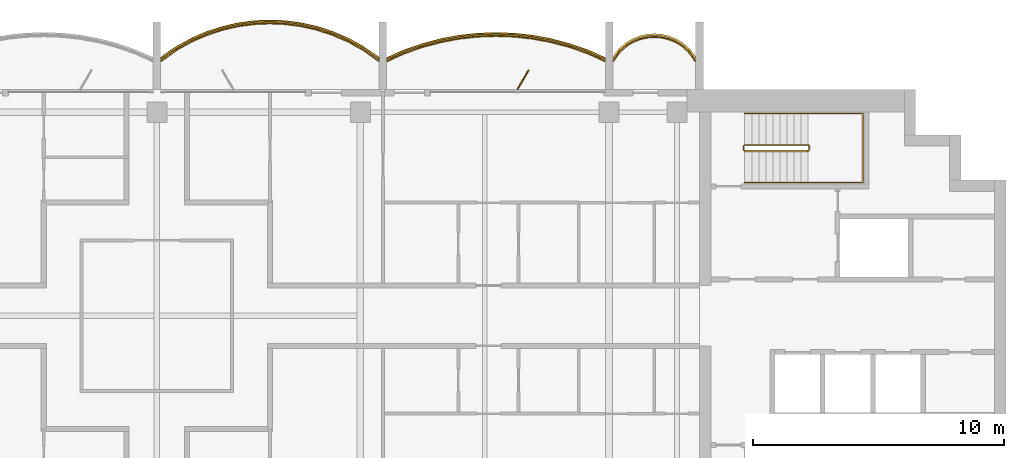
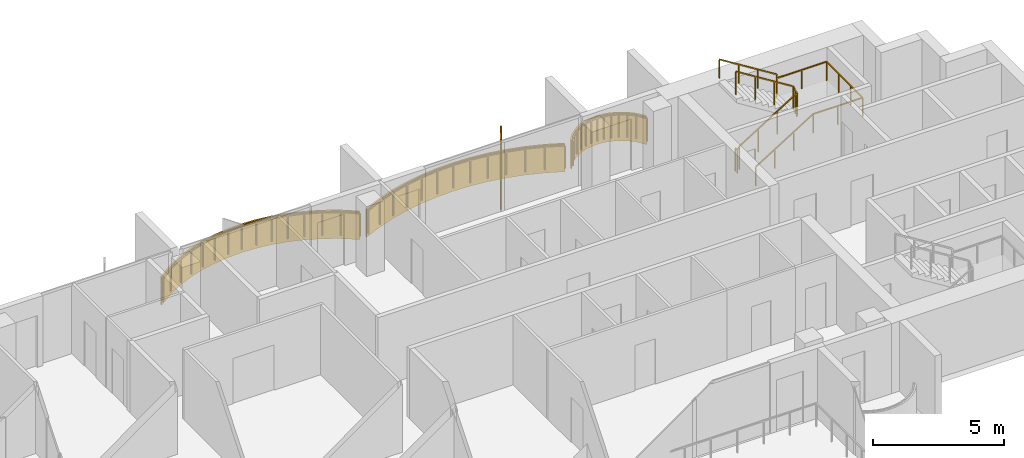
# One storey, part 16 of 16: 5 railings, 3 coverings, 1 shading device.
"""IFC4 building model written with IfcOpenShell, lengths in metres."""

from ifc_helpers import new_model, si_unit, direction, frame, origin, origin_2d, place, context, subcontext, project, spatial, polyline, rectangle, outline, extrude, material, layer, layer_set, type_object, element, save


model = new_model("IFC4")

# Units and contexts
model_context = context("Model", 3, precision=1e-05, world=origin(), true_north=direction((0.0, 1.0)))
body_context = subcontext(model_context, "Body", "Model", "MODEL_VIEW")
ifc_project = project(units=[si_unit("LENGTHUNIT", "METRE"), si_unit("AREAUNIT", "SQUARE_METRE"), si_unit("VOLUMEUNIT", "CUBIC_METRE"), si_unit("PLANEANGLEUNIT", "RADIAN"), si_unit("MASSUNIT", "GRAM", prefix="KILO")], contexts=[model_context])

# Site, building, storey
site_placement = place(None, origin())
site = spatial("IfcSite", under=ifc_project, at=site_placement, CompositionType="ELEMENT")
building_placement = place(site_placement, origin())
building = spatial("IfcBuilding", under=site, at=building_placement, Name="Perihelion Cross Residences", CompositionType="ELEMENT")
storey_placement = place(building_placement, frame((0.0, 0.0, 246.5)))
storey = spatial("IfcBuildingStorey", under=building, at=storey_placement, Name="L62", CompositionType="ELEMENT", Elevation=246.5)

# Coverings
ifc_material_1 = material(Name="Bronze anodised aluminium", Category="aluminium")
ifc_layer_1 = layer(ifc_material_1, 0.070068359375)
ifc_layer_set_1 = layer_set([ifc_layer_1], Name="Balcony fascia 1300")
covering_type = type_object("IfcCoveringType", Name="Balcony fascia 1300", PredefinedType="CLADDING", material=ifc_layer_set_1)
covering_1_placement = place(storey_placement, frame((0.0, 0.0, -0.199951171875)))
element("IfcCovering", 1, at=covering_1_placement, inside=storey, type_object=covering_type, Name="Fascia BF1 L62 east side north bay 1", PredefinedType="CLADDING", context=body_context, shape_type="SweptSolid", body=[
    extrude(outline(polyline([(21.226318359375, 10.616455078125), (20.94091796875, 10.86328125), (20.655517578125, 11.031494140625), (20.370361328125, 11.142578125), (20.085205078125, 11.206298828125), (19.800048828125, 11.22705078125), (19.514892578125, 11.206298828125), (19.229736328125, 11.142578125), (18.9443359375, 11.031494140625), (18.6591796875, 10.86328125), (18.373779296875, 10.616455078125), (18.14990234375, 10.31689453125), (18.14990234375, 10.199951171875), (18.425048828125, 10.568603515625), (18.699951171875, 10.806396484375), (18.97509765625, 10.96875), (19.25, 11.07568359375), (19.52490234375, 11.136962890625), (19.800048828125, 11.156982421875), (20.074951171875, 11.136962890625), (20.35009765625, 11.07568359375), (20.625, 10.96875), (20.89990234375, 10.806396484375), (21.175048828125, 10.568603515625), (21.449951171875, 10.199951171875), (21.449951171875, 10.31689453125), (21.226318359375, 10.616455078125)])), origin(), (0.0, 0.0, 1.0), 1.300048828125),
])
covering_2_placement = place(storey_placement, frame((0.0, 0.0, -0.199951171875)))
element("IfcCovering", 2, at=covering_2_placement, inside=storey, type_object=covering_type, Name="Fascia BF1 L62 east side north bay 2", PredefinedType="CLADDING", context=body_context, shape_type="SweptSolid", body=[
    extrude(outline(polyline([(17.150634765625, 10.582275390625), (16.42041015625, 10.83544921875), (15.690185546875, 11.028076171875), (14.960205078125, 11.1630859375), (14.22998046875, 11.243408203125), (13.5, 11.27001953125), (12.77001953125, 11.243408203125), (12.039794921875, 11.1630859375), (11.309814453125, 11.028076171875), (10.57958984375, 10.83544921875), (9.849365234375, 10.582275390625), (9.14990234375, 10.2763671875), (9.14990234375, 10.199951171875), (9.875, 10.51708984375), (10.60009765625, 10.7685546875), (11.324951171875, 10.959716796875), (12.050048828125, 11.093994140625), (12.77490234375, 11.173583984375), (13.5, 11.199951171875), (14.22509765625, 11.173583984375), (14.949951171875, 11.093994140625), (15.675048828125, 10.959716796875), (16.39990234375, 10.7685546875), (17.125, 10.51708984375), (17.85009765625, 10.199951171875), (17.85009765625, 10.2763671875), (17.150634765625, 10.582275390625)])), origin(), (0.0, 0.0, 1.0), 1.300048828125),
])
covering_3_placement = place(storey_placement, frame((0.0, 0.0, -0.199951171875)))
element("IfcCovering", 3, at=covering_3_placement, inside=storey, type_object=covering_type, Name="Fascia BF1 L62 north side east bay 1", PredefinedType="CLADDING", context=body_context, shape_type="SweptSolid", body=[
    extrude(outline(polyline([(8.265625, 10.694091796875), (7.637939453125, 11.0419921875), (7.010498046875, 11.313232421875), (6.3828125, 11.516845703125), (5.755126953125, 11.65869140625), (5.127685546875, 11.742431640625), (4.5, 11.77001953125), (3.872314453125, 11.742431640625), (3.244873046875, 11.65869140625), (2.6171875, 11.516845703125), (1.989501953125, 11.313232421875), (1.362060546875, 11.0419921875), (0.734375, 10.694091796875), (0.14990234375, 10.285400390625), (0.14990234375, 10.199951171875), (0.771484375, 10.634765625), (1.392822265625, 10.979248046875), (2.014404296875, 11.247802734375), (2.6357421875, 11.44921875), (3.257080078125, 11.589599609375), (3.878662109375, 11.672607421875), (4.5, 11.699951171875), (5.121337890625, 11.672607421875), (5.742919921875, 11.589599609375), (6.3642578125, 11.44921875), (6.985595703125, 11.247802734375), (7.607177734375, 10.979248046875), (8.228515625, 10.634765625), (8.85009765625, 10.199951171875), (8.85009765625, 10.285400390625), (8.265625, 10.694091796875)])), origin(), (0.0, 0.0, 1.0), 1.300048828125),
])

# Railings
ifc_material_2 = material(Name="Bronze anodised aluminium", Category="aluminium")
railing_type_1 = type_object("IfcRailingType", Name="Balcony guard 1100", PredefinedType="GUARDRAIL", material=ifc_material_2)
railing_1_placement = place(storey_placement, frame((21.425048828125, 10.139892578125, 0.0)))
element("IfcRailing", 4, at=railing_1_placement, inside=storey, type_object=railing_type_1, Name="Guard GU1 L62 east side north bay 1 balcony", PredefinedType="GUARDRAIL", context=body_context, shape_type="SweptSolid", body=[
    extrude(rectangle(XDim=0.048095703125, YDim=0.048095703125, at=origin_2d()), frame((0.0, 0.0, 1.076171875), z_axis=(-0.561260132269, 0.827639452857, 0.0), x_axis=(-0.827639452857, -0.561260132269, 0.0)), (0.0, 0.0, 1.0), 0.4453125),
    extrude(rectangle(XDim=0.048095703125, YDim=0.048095703125, at=origin_2d()), frame((-0.25, 0.36865234375, 1.076171875), z_axis=(-0.756596535164, 0.653882009982, 0.0), x_axis=(-0.653882009982, -0.756596535164, 0.0)), (0.0, 0.0, 1.0), 0.36376953125),
    extrude(rectangle(XDim=0.048095703125, YDim=0.048095703125, at=origin_2d()), frame((-0.525146484375, 0.6064453125, 1.076171875), z_axis=(-0.861048292884, 0.508523192511, 0.0), x_axis=(-0.508523192511, -0.861048292884, 0.0)), (0.0, 0.0, 1.0), 0.3193359375),
    extrude(rectangle(XDim=0.048095703125, YDim=0.048095703125, at=origin_2d()), frame((-0.800048828125, 0.768798828125, 1.076171875), z_axis=(-0.931973602183, 0.362526143656, 0.0), x_axis=(-0.362526143656, -0.931973602183, 0.0)), (0.0, 0.0, 1.0), 0.294921875),
    extrude(rectangle(XDim=0.048095703125, YDim=0.048095703125, at=origin_2d()), frame((-1.074951171875, 0.875732421875, 1.076171875), z_axis=(-0.976085059389, 0.21738895289, 0.0), x_axis=(-0.21738895289, -0.976085059389, 0.0)), (0.0, 0.0, 1.0), 0.281982421875),
    extrude(rectangle(XDim=0.048095703125, YDim=0.048095703125, at=origin_2d()), frame((-1.35009765625, 0.93701171875, 1.076171875), z_axis=(-0.997358821833, 0.072631814734, 0.0), x_axis=(-0.072631814734, -0.997358821833, 0.0)), (0.0, 0.0, 1.0), 0.275634765625),
    extrude(rectangle(XDim=0.048095703125, YDim=0.048095703125, at=origin_2d()), frame((-1.625, 0.95703125, 1.076171875), z_axis=(-0.997363488337, -0.072567707226, 0.0), x_axis=(0.072567707226, -0.997363488337, 0.0)), (0.0, 0.0, 1.0), 0.27587890625),
    extrude(rectangle(XDim=0.048095703125, YDim=0.048095703125, at=origin_2d()), frame((-1.900146484375, 0.93701171875, 1.076171875), z_axis=(-0.976044077717, -0.217572880557, 0.0), x_axis=(0.217572880557, -0.976044077717, 0.0)), (0.0, 0.0, 1.0), 0.28173828125),
    extrude(rectangle(XDim=0.048095703125, YDim=0.048095703125, at=origin_2d()), frame((-2.175048828125, 0.875732421875, 1.076171875), z_axis=(-0.931973602183, -0.362526143656, 0.0), x_axis=(0.362526143656, -0.931973602183, 0.0)), (0.0, 0.0, 1.0), 0.294921875),
    extrude(rectangle(XDim=0.048095703125, YDim=0.048095703125, at=origin_2d()), frame((-2.449951171875, 0.768798828125, 1.076171875), z_axis=(-0.861245845072, -0.508188542123, 0.0), x_axis=(0.508188542123, -0.861245845072, 0.0)), (0.0, 0.0, 1.0), 0.319580078125),
    extrude(rectangle(XDim=0.048095703125, YDim=0.048095703125, at=origin_2d()), frame((-2.72509765625, 0.6064453125, 1.076171875), z_axis=(-0.756309278473, -0.654214242658, 0.0), x_axis=(0.654214242658, -0.756309278473, 0.0)), (0.0, 0.0, 1.0), 0.363525390625),
    extrude(rectangle(XDim=0.048095703125, YDim=0.048095703125, at=origin_2d()), frame((-3.0, 0.36865234375, 1.076171875), z_axis=(-0.561260132269, -0.827639452857, 0.0), x_axis=(0.827639452857, -0.561260132269, 0.0)), (0.0, 0.0, 1.0), 0.4453125),
    extrude(rectangle(XDim=0.0419921875, YDim=0.0419921875, at=origin_2d()), origin(), (0.0, 0.0, 1.0), 1.052001953125),
    extrude(rectangle(XDim=0.0419921875, YDim=0.0419921875, at=origin_2d()), frame((-0.25, 0.36865234375, 0.0)), (0.0, 0.0, 1.0), 1.052001953125),
    extrude(rectangle(XDim=0.0419921875, YDim=0.0419921875, at=origin_2d()), frame((-0.525146484375, 0.6064453125, 0.0)), (0.0, 0.0, 1.0), 1.052001953125),
    extrude(rectangle(XDim=0.0419921875, YDim=0.0419921875, at=origin_2d()), frame((-0.800048828125, 0.768798828125, 0.0)), (0.0, 0.0, 1.0), 1.052001953125),
    extrude(rectangle(XDim=0.0419921875, YDim=0.0419921875, at=origin_2d()), frame((-1.074951171875, 0.875732421875, 0.0)), (0.0, 0.0, 1.0), 1.052001953125),
    extrude(rectangle(XDim=0.0419921875, YDim=0.0419921875, at=origin_2d()), frame((-1.35009765625, 0.93701171875, 0.0)), (0.0, 0.0, 1.0), 1.052001953125),
    extrude(rectangle(XDim=0.0419921875, YDim=0.0419921875, at=origin_2d()), frame((-1.625, 0.95703125, 0.0)), (0.0, 0.0, 1.0), 1.052001953125),
    extrude(rectangle(XDim=0.0419921875, YDim=0.0419921875, at=origin_2d()), frame((-1.900146484375, 0.93701171875, 0.0)), (0.0, 0.0, 1.0), 1.052001953125),
    extrude(rectangle(XDim=0.0419921875, YDim=0.0419921875, at=origin_2d()), frame((-2.175048828125, 0.875732421875, 0.0)), (0.0, 0.0, 1.0), 1.052001953125),
    extrude(rectangle(XDim=0.0419921875, YDim=0.0419921875, at=origin_2d()), frame((-2.449951171875, 0.768798828125, 0.0)), (0.0, 0.0, 1.0), 1.052001953125),
    extrude(rectangle(XDim=0.0419921875, YDim=0.0419921875, at=origin_2d()), frame((-2.72509765625, 0.6064453125, 0.0)), (0.0, 0.0, 1.0), 1.052001953125),
    extrude(rectangle(XDim=0.0419921875, YDim=0.0419921875, at=origin_2d()), frame((-3.0, 0.36865234375, 0.0)), (0.0, 0.0, 1.0), 1.052001953125),
    extrude(rectangle(XDim=0.0419921875, YDim=0.0419921875, at=origin_2d()), frame((-3.25, 0.0, 0.0)), (0.0, 0.0, 1.0), 1.052001953125),
])
railing_2_placement = place(storey_placement, frame((17.824951171875, 10.139892578125, 0.0)))
element("IfcRailing", 5, at=railing_2_placement, inside=storey, type_object=railing_type_1, Name="Guard GU1 L62 east side north bay 2 balcony", PredefinedType="GUARDRAIL", context=body_context, shape_type="SweptSolid", body=[
    extrude(rectangle(XDim=0.048095703125, YDim=0.048095703125, at=origin_2d()), frame((0.0, 0.0, 1.076171875), z_axis=(-0.910866309087, 0.412701547089, 0.0), x_axis=(-0.412701547089, -0.910866309087, 0.0)), (0.0, 0.0, 1.0), 0.7685546875),
    extrude(rectangle(XDim=0.048095703125, YDim=0.048095703125, at=origin_2d()), frame((-0.699951171875, 0.317138671875, 1.076171875), z_axis=(-0.944796812452, 0.327656807012, 0.0), x_axis=(-0.327656807012, -0.944796812452, 0.0)), (0.0, 0.0, 1.0), 0.767578125),
    extrude(rectangle(XDim=0.048095703125, YDim=0.048095703125, at=origin_2d()), frame((-1.425048828125, 0.568603515625, 1.076171875), z_axis=(-0.966939404945, 0.255006249266, 0.0), x_axis=(-0.255006249266, -0.966939404945, 0.0)), (0.0, 0.0, 1.0), 0.749755859375),
    extrude(rectangle(XDim=0.048095703125, YDim=0.048095703125, at=origin_2d()), frame((-2.14990234375, 0.759765625, 1.076171875), z_axis=(-0.983282004984, 0.182089260182, 0.0), x_axis=(-0.182089260182, -0.983282004984, 0.0)), (0.0, 0.0, 1.0), 0.7373046875),
    extrude(rectangle(XDim=0.048095703125, YDim=0.048095703125, at=origin_2d()), frame((-2.875, 0.89404296875, 1.076171875), z_axis=(-0.994025805622, 0.109145305703, 0.0), x_axis=(-0.109145305703, -0.994025805622, 0.0)), (0.0, 0.0, 1.0), 0.729248046875),
    extrude(rectangle(XDim=0.048095703125, YDim=0.048095703125, at=origin_2d()), frame((-3.599853515625, 0.9736328125, 1.076171875), z_axis=(-0.999339497946, 0.036339618107, 0.0), x_axis=(-0.036339618107, -0.999339497946, 0.0)), (0.0, 0.0, 1.0), 0.7255859375),
    extrude(rectangle(XDim=0.048095703125, YDim=0.048095703125, at=origin_2d()), frame((-4.324951171875, 1.0, 1.076171875), z_axis=(-0.999339497946, -0.036339618107, 0.0), x_axis=(0.036339618107, -0.999339497946, 0.0)), (0.0, 0.0, 1.0), 0.7255859375),
    extrude(rectangle(XDim=0.048095703125, YDim=0.048095703125, at=origin_2d()), frame((-5.050048828125, 0.9736328125, 1.076171875), z_axis=(-0.994025805622, -0.109145305703, 0.0), x_axis=(0.109145305703, -0.994025805622, 0.0)), (0.0, 0.0, 1.0), 0.729248046875),
    extrude(rectangle(XDim=0.048095703125, YDim=0.048095703125, at=origin_2d()), frame((-5.77490234375, 0.89404296875, 1.076171875), z_axis=(-0.983282004984, -0.182089260182, 0.0), x_axis=(0.182089260182, -0.983282004984, 0.0)), (0.0, 0.0, 1.0), 0.7373046875),
    extrude(rectangle(XDim=0.048095703125, YDim=0.048095703125, at=origin_2d()), frame((-6.5, 0.759765625, 1.076171875), z_axis=(-0.966939404945, -0.255006249266, 0.0), x_axis=(0.255006249266, -0.966939404945, 0.0)), (0.0, 0.0, 1.0), 0.749755859375),
    extrude(rectangle(XDim=0.048095703125, YDim=0.048095703125, at=origin_2d()), frame((-7.224853515625, 0.568603515625, 1.076171875), z_axis=(-0.944796812452, -0.327656807012, 0.0), x_axis=(0.327656807012, -0.944796812452, 0.0)), (0.0, 0.0, 1.0), 0.767578125),
    extrude(rectangle(XDim=0.048095703125, YDim=0.048095703125, at=origin_2d()), frame((-7.949951171875, 0.317138671875, 1.076171875), z_axis=(-0.910866309087, -0.412701547089, 0.0), x_axis=(0.412701547089, -0.910866309087, 0.0)), (0.0, 0.0, 1.0), 0.7685546875),
    extrude(rectangle(XDim=0.0419921875, YDim=0.0419921875, at=origin_2d()), origin(), (0.0, 0.0, 1.0), 1.052001953125),
    extrude(rectangle(XDim=0.0419921875, YDim=0.0419921875, at=origin_2d()), frame((-0.699951171875, 0.317138671875, 0.0)), (0.0, 0.0, 1.0), 1.052001953125),
    extrude(rectangle(XDim=0.0419921875, YDim=0.0419921875, at=origin_2d()), frame((-1.425048828125, 0.568603515625, 0.0)), (0.0, 0.0, 1.0), 1.052001953125),
    extrude(rectangle(XDim=0.0419921875, YDim=0.0419921875, at=origin_2d()), frame((-2.14990234375, 0.759765625, 0.0)), (0.0, 0.0, 1.0), 1.052001953125),
    extrude(rectangle(XDim=0.0419921875, YDim=0.0419921875, at=origin_2d()), frame((-2.875, 0.89404296875, 0.0)), (0.0, 0.0, 1.0), 1.052001953125),
    extrude(rectangle(XDim=0.0419921875, YDim=0.0419921875, at=origin_2d()), frame((-3.599853515625, 0.9736328125, 0.0)), (0.0, 0.0, 1.0), 1.052001953125),
    extrude(rectangle(XDim=0.0419921875, YDim=0.0419921875, at=origin_2d()), frame((-4.324951171875, 1.0, 0.0)), (0.0, 0.0, 1.0), 1.052001953125),
    extrude(rectangle(XDim=0.0419921875, YDim=0.0419921875, at=origin_2d()), frame((-5.050048828125, 0.9736328125, 0.0)), (0.0, 0.0, 1.0), 1.052001953125),
    extrude(rectangle(XDim=0.0419921875, YDim=0.0419921875, at=origin_2d()), frame((-5.77490234375, 0.89404296875, 0.0)), (0.0, 0.0, 1.0), 1.052001953125),
    extrude(rectangle(XDim=0.0419921875, YDim=0.0419921875, at=origin_2d()), frame((-6.5, 0.759765625, 0.0)), (0.0, 0.0, 1.0), 1.052001953125),
    extrude(rectangle(XDim=0.0419921875, YDim=0.0419921875, at=origin_2d()), frame((-7.224853515625, 0.568603515625, 0.0)), (0.0, 0.0, 1.0), 1.052001953125),
    extrude(rectangle(XDim=0.0419921875, YDim=0.0419921875, at=origin_2d()), frame((-7.949951171875, 0.317138671875, 0.0)), (0.0, 0.0, 1.0), 1.052001953125),
    extrude(rectangle(XDim=0.0419921875, YDim=0.0419921875, at=origin_2d()), frame((-8.64990234375, 0.0, 0.0)), (0.0, 0.0, 1.0), 1.052001953125),
])
railing_3_placement = place(storey_placement, frame((8.824951171875, 10.139892578125, 0.0)))
element("IfcRailing", 6, at=railing_3_placement, inside=storey, type_object=railing_type_1, Name="Guard GU1 L62 north side east bay 1 balcony", PredefinedType="GUARDRAIL", context=body_context, shape_type="SweptSolid", body=[
    extrude(rectangle(XDim=0.048095703125, YDim=0.048095703125, at=origin_2d()), frame((0.0, 0.0, 1.076171875), z_axis=(-0.808063294873, 0.589095672603, 0.0), x_axis=(-0.589095672603, -0.808063294873, 0.0)), (0.0, 0.0, 1.0), 0.738037109375),
    extrude(rectangle(XDim=0.048095703125, YDim=0.048095703125, at=origin_2d()), frame((-0.596435546875, 0.434814453125, 1.076171875), z_axis=(-0.874578399268, 0.484884134133, 0.0), x_axis=(-0.484884134133, -0.874578399268, 0.0)), (0.0, 0.0, 1.0), 0.71044921875),
    extrude(rectangle(XDim=0.048095703125, YDim=0.048095703125, at=origin_2d()), frame((-1.2177734375, 0.779296875, 1.076171875), z_axis=(-0.917984792895, 0.396615582162, 0.0), x_axis=(-0.396615582162, -0.917984792895, 0.0)), (0.0, 0.0, 1.0), 0.677001953125),
    extrude(rectangle(XDim=0.048095703125, YDim=0.048095703125, at=origin_2d()), frame((-1.83935546875, 1.0478515625, 1.076171875), z_axis=(-0.951157585372, 0.308705762482, 0.0), x_axis=(-0.308705762482, -0.951157585372, 0.0)), (0.0, 0.0, 1.0), 0.6533203125),
    extrude(rectangle(XDim=0.048095703125, YDim=0.048095703125, at=origin_2d()), frame((-2.460693359375, 1.24951171875, 1.076171875), z_axis=(-0.975414431917, 0.220378506229, 0.0), x_axis=(-0.220378506229, -0.975414431917, 0.0)), (0.0, 0.0, 1.0), 0.636962890625),
    extrude(rectangle(XDim=0.048095703125, YDim=0.048095703125, at=origin_2d()), frame((-3.08203125, 1.389892578125, 1.076171875), z_axis=(-0.991251686862, 0.131985201039, 0.0), x_axis=(-0.131985201039, -0.991251686862, 0.0)), (0.0, 0.0, 1.0), 0.626953125),
    extrude(rectangle(XDim=0.048095703125, YDim=0.048095703125, at=origin_2d()), frame((-3.70361328125, 1.47265625, 1.076171875), z_axis=(-0.999033058467, 0.04396530552, 0.0), x_axis=(-0.04396530552, -0.999033058467, 0.0)), (0.0, 0.0, 1.0), 0.621826171875),
    extrude(rectangle(XDim=0.048095703125, YDim=0.048095703125, at=origin_2d()), frame((-4.324951171875, 1.5, 1.076171875), z_axis=(-0.999033058467, -0.04396530552, 0.0), x_axis=(0.04396530552, -0.999033058467, 0.0)), (0.0, 0.0, 1.0), 0.621826171875),
    extrude(rectangle(XDim=0.048095703125, YDim=0.048095703125, at=origin_2d()), frame((-4.9462890625, 1.47265625, 1.076171875), z_axis=(-0.991251686862, -0.131985201039, 0.0), x_axis=(0.131985201039, -0.991251686862, 0.0)), (0.0, 0.0, 1.0), 0.626953125),
    extrude(rectangle(XDim=0.048095703125, YDim=0.048095703125, at=origin_2d()), frame((-5.56787109375, 1.389892578125, 1.076171875), z_axis=(-0.975414431917, -0.220378506229, 0.0), x_axis=(0.220378506229, -0.975414431917, 0.0)), (0.0, 0.0, 1.0), 0.636962890625),
    extrude(rectangle(XDim=0.048095703125, YDim=0.048095703125, at=origin_2d()), frame((-6.189208984375, 1.24951171875, 1.076171875), z_axis=(-0.951157585372, -0.308705762482, 0.0), x_axis=(0.308705762482, -0.951157585372, 0.0)), (0.0, 0.0, 1.0), 0.6533203125),
    extrude(rectangle(XDim=0.048095703125, YDim=0.048095703125, at=origin_2d()), frame((-6.810546875, 1.0478515625, 1.076171875), z_axis=(-0.917984792895, -0.396615582162, 0.0), x_axis=(0.396615582162, -0.917984792895, 0.0)), (0.0, 0.0, 1.0), 0.677001953125),
    extrude(rectangle(XDim=0.048095703125, YDim=0.048095703125, at=origin_2d()), frame((-7.43212890625, 0.779296875, 1.076171875), z_axis=(-0.874578399268, -0.484884134133, 0.0), x_axis=(0.484884134133, -0.874578399268, 0.0)), (0.0, 0.0, 1.0), 0.71044921875),
    extrude(rectangle(XDim=0.048095703125, YDim=0.048095703125, at=origin_2d()), frame((-8.053466796875, 0.434814453125, 1.076171875), z_axis=(-0.808063294873, -0.589095672603, 0.0), x_axis=(0.589095672603, -0.808063294873, 0.0)), (0.0, 0.0, 1.0), 0.738037109375),
    extrude(rectangle(XDim=0.0419921875, YDim=0.0419921875, at=origin_2d()), origin(), (0.0, 0.0, 1.0), 1.052001953125),
    extrude(rectangle(XDim=0.0419921875, YDim=0.0419921875, at=origin_2d()), frame((-0.596435546875, 0.434814453125, 0.0)), (0.0, 0.0, 1.0), 1.052001953125),
    extrude(rectangle(XDim=0.0419921875, YDim=0.0419921875, at=origin_2d()), frame((-1.2177734375, 0.779296875, 0.0)), (0.0, 0.0, 1.0), 1.052001953125),
    extrude(rectangle(XDim=0.0419921875, YDim=0.0419921875, at=origin_2d()), frame((-1.83935546875, 1.0478515625, 0.0)), (0.0, 0.0, 1.0), 1.052001953125),
    extrude(rectangle(XDim=0.0419921875, YDim=0.0419921875, at=origin_2d()), frame((-2.460693359375, 1.24951171875, 0.0)), (0.0, 0.0, 1.0), 1.052001953125),
    extrude(rectangle(XDim=0.0419921875, YDim=0.0419921875, at=origin_2d()), frame((-3.08203125, 1.389892578125, 0.0)), (0.0, 0.0, 1.0), 1.052001953125),
    extrude(rectangle(XDim=0.0419921875, YDim=0.0419921875, at=origin_2d()), frame((-3.70361328125, 1.47265625, 0.0)), (0.0, 0.0, 1.0), 1.052001953125),
    extrude(rectangle(XDim=0.0419921875, YDim=0.0419921875, at=origin_2d()), frame((-4.324951171875, 1.5, 0.0)), (0.0, 0.0, 1.0), 1.052001953125),
    extrude(rectangle(XDim=0.0419921875, YDim=0.0419921875, at=origin_2d()), frame((-4.9462890625, 1.47265625, 0.0)), (0.0, 0.0, 1.0), 1.052001953125),
    extrude(rectangle(XDim=0.0419921875, YDim=0.0419921875, at=origin_2d()), frame((-5.56787109375, 1.389892578125, 0.0)), (0.0, 0.0, 1.0), 1.052001953125),
    extrude(rectangle(XDim=0.0419921875, YDim=0.0419921875, at=origin_2d()), frame((-6.189208984375, 1.24951171875, 0.0)), (0.0, 0.0, 1.0), 1.052001953125),
    extrude(rectangle(XDim=0.0419921875, YDim=0.0419921875, at=origin_2d()), frame((-6.810546875, 1.0478515625, 0.0)), (0.0, 0.0, 1.0), 1.052001953125),
    extrude(rectangle(XDim=0.0419921875, YDim=0.0419921875, at=origin_2d()), frame((-7.43212890625, 0.779296875, 0.0)), (0.0, 0.0, 1.0), 1.052001953125),
    extrude(rectangle(XDim=0.0419921875, YDim=0.0419921875, at=origin_2d()), frame((-8.053466796875, 0.434814453125, 0.0)), (0.0, 0.0, 1.0), 1.052001953125),
    extrude(rectangle(XDim=0.0419921875, YDim=0.0419921875, at=origin_2d()), frame((-8.64990234375, 0.0, 0.0)), (0.0, 0.0, 1.0), 1.052001953125),
])

# Shading device
ifc_material_3 = material(Name="Bronze anodised aluminium", Category="aluminium")
ifc_layer_2 = layer(ifc_material_3, 0.050048828125)
ifc_layer_set_2 = layer_set([ifc_layer_2], Name="Bronze fin 900")
shading_device_type = type_object("IfcShadingDeviceType", Name="Bronze fin 900", PredefinedType="USERDEFINED", material=ifc_layer_set_2)
shading_device_placement = place(storey_placement, frame((14.574951171875, 9.3896484375, 0.0), z_axis=(0.0, 0.0, 1.0), x_axis=(0.5, 0.866025403784, 0.0)))
element("IfcShadingDevice", 7, at=shading_device_placement, inside=storey, type_object=shading_device_type, Name="Fin FN1 L62 east side north bay 2", ObjectType="FIN", PredefinedType="USERDEFINED", context=body_context, shape_type="SweptSolid", body=[
    extrude(rectangle(XDim=0.89990234375, YDim=0.050048828125, at=origin_2d()), origin(), (0.0, 0.0, 1.0), 3.25),
])

# Railings
ifc_material_4 = material(Name="Stainless steel", Category="steel")
railing_type_2 = type_object("IfcRailingType", Name="Stair guard 1100", PredefinedType="GUARDRAIL", material=ifc_material_4)
railing_4_placement = place(storey_placement, frame((23.35009765625, 6.75, 0.0)))
element("IfcRailing", 8, at=railing_4_placement, inside=storey, type_object=railing_type_2, Name="L62 ST-E1 stair guard 1", PredefinedType="GUARDRAIL", context=body_context, shape_type="SweptSolid", body=[
    extrude(rectangle(XDim=0.048095703125, YDim=0.048095703125, at=origin_2d()), frame((0.0, 0.0, 1.076171875), z_axis=(0.0, -1.0, 0.0), x_axis=(1.0, 0.0, 0.0)), (0.0, 0.0, 1.0), 0.14990234375),
    extrude(rectangle(XDim=0.048095703125, YDim=0.048095703125, at=origin_2d()), frame((0.0, -0.14990234375, 1.076171875), z_axis=(0.263862480399, -0.265155923931, 0.927399011991), x_axis=(0.708833529934, 0.705375805398, 0.0)), (0.0, 0.0, 1.0), 0.188720703125),
    extrude(rectangle(XDim=0.048095703125, YDim=0.048095703125, at=origin_2d()), frame((0.0498046875, -0.199951171875, 1.2509765625), z_axis=(0.848007534815, 0.0, 0.529984170421), x_axis=(0.0, 1.0, 0.0)), (0.0, 0.0, 1.0), 2.9716796875),
    extrude(rectangle(XDim=0.048095703125, YDim=0.048095703125, at=origin_2d()), frame((2.56982421875, -0.199951171875, 2.826171875), z_axis=(0.707106781187, 0.707106781187, 0.0), x_axis=(-0.707106781187, 0.707106781187, 0.0)), (0.0, 0.0, 1.0), 0.07080078125),
    extrude(rectangle(XDim=0.048095703125, YDim=0.048095703125, at=origin_2d()), frame((2.619873046875, -0.14990234375, 2.826171875), z_axis=(0.0, 1.0, 0.0), x_axis=(-1.0, 0.0, 0.0)), (0.0, 0.0, 1.0), 0.14990234375),
    extrude(rectangle(XDim=0.048095703125, YDim=0.048095703125, at=origin_2d()), frame((2.619873046875, 0.0, 2.826171875), z_axis=(-0.265065253269, 0.265065253269, 0.927081885822), x_axis=(-0.707106781187, -0.707106781187, 0.0)), (0.0, 0.0, 1.0), 0.188720703125),
    extrude(rectangle(XDim=0.048095703125, YDim=0.048095703125, at=origin_2d()), frame((2.56982421875, 0.050048828125, 3.0009765625), z_axis=(-0.848007534815, 0.0, 0.529984170421), x_axis=(0.0, -1.0, 0.0)), (0.0, 0.0, 1.0), 2.9716796875),
    extrude(rectangle(XDim=0.0419921875, YDim=0.0419921875, at=origin_2d()), origin(), (0.0, 0.0, 1.0), 1.052001953125),
    extrude(rectangle(XDim=0.0419921875, YDim=0.0419921875, at=origin_2d()), frame((0.0, -0.14990234375, 0.0)), (0.0, 0.0, 1.0), 1.052001953125),
    extrude(rectangle(XDim=0.0419921875, YDim=0.0419921875, at=origin_2d()), frame((0.0498046875, -0.199951171875, 0.175048828125)), (0.0, 0.0, 1.0), 1.052001953125),
    extrude(rectangle(XDim=0.0419921875, YDim=0.0419921875, at=origin_2d()), frame((0.889892578125, -0.199951171875, 0.699951171875)), (0.0, 0.0, 1.0), 1.052001953125),
    extrude(rectangle(XDim=0.0419921875, YDim=0.0419921875, at=origin_2d()), frame((1.729736328125, -0.199951171875, 1.22509765625)), (0.0, 0.0, 1.0), 1.052001953125),
    extrude(rectangle(XDim=0.0419921875, YDim=0.0419921875, at=origin_2d()), frame((2.56982421875, -0.199951171875, 1.75)), (0.0, 0.0, 1.0), 1.052001953125),
    extrude(rectangle(XDim=0.0419921875, YDim=0.0419921875, at=origin_2d()), frame((2.619873046875, -0.14990234375, 1.75)), (0.0, 0.0, 1.0), 1.052001953125),
    extrude(rectangle(XDim=0.0419921875, YDim=0.0419921875, at=origin_2d()), frame((2.619873046875, 0.0, 1.75)), (0.0, 0.0, 1.0), 1.052001953125),
    extrude(rectangle(XDim=0.0419921875, YDim=0.0419921875, at=origin_2d()), frame((2.56982421875, 0.050048828125, 1.925048828125)), (0.0, 0.0, 1.0), 1.052001953125),
    extrude(rectangle(XDim=0.0419921875, YDim=0.0419921875, at=origin_2d()), frame((1.729736328125, 0.050048828125, 2.449951171875)), (0.0, 0.0, 1.0), 1.052001953125),
    extrude(rectangle(XDim=0.0419921875, YDim=0.0419921875, at=origin_2d()), frame((0.889892578125, 0.050048828125, 2.97509765625)), (0.0, 0.0, 1.0), 1.052001953125),
    extrude(rectangle(XDim=0.0419921875, YDim=0.0419921875, at=origin_2d()), frame((0.0498046875, 0.050048828125, 3.5)), (0.0, 0.0, 1.0), 1.052001953125),
])
ifc_material_5 = material(Name="Stainless steel", Category="steel")
railing_type_3 = type_object("IfcRailingType", Name="Stair handrail 900", PredefinedType="HANDRAIL", material=ifc_material_5)
railing_5_placement = place(storey_placement, frame((23.39990234375, 5.300048828125, 0.175048828125)))
element("IfcRailing", 9, at=railing_5_placement, inside=storey, type_object=railing_type_3, Name="L62 ST-E1 stair handrail 1", PredefinedType="HANDRAIL", context=body_context, shape_type="SweptSolid", body=[
    extrude(rectangle(XDim=0.048095703125, YDim=0.048095703125, at=origin_2d()), frame((0.0, 0.0, 0.8759765625), z_axis=(0.848007534815, 0.0, 0.529984170421), x_axis=(0.0, 1.0, 0.0)), (0.0, 0.0, 1.0), 2.9716796875),
    extrude(rectangle(XDim=0.048095703125, YDim=0.048095703125, at=origin_2d()), frame((2.52001953125, 0.0, 2.45068359375), z_axis=(1.0, 0.0, 0.0), x_axis=(0.0, 1.0, 0.0)), (0.0, 0.0, 1.0), 2.18017578125),
    extrude(rectangle(XDim=0.048095703125, YDim=0.048095703125, at=origin_2d()), frame((4.7001953125, 0.0, 2.45068359375), z_axis=(0.0, 1.0, 0.0), x_axis=(-1.0, 0.0, 0.0)), (0.0, 0.0, 1.0), 2.75),
    extrude(rectangle(XDim=0.048095703125, YDim=0.048095703125, at=origin_2d()), frame((4.7001953125, 2.75, 2.45068359375), z_axis=(-1.0, 0.0, 0.0), x_axis=(0.0, -1.0, 0.0)), (0.0, 0.0, 1.0), 2.18017578125),
    extrude(rectangle(XDim=0.048095703125, YDim=0.048095703125, at=origin_2d()), frame((2.52001953125, 2.75, 2.45068359375), z_axis=(0.0, 0.0, 1.0), x_axis=(1.0, 0.0, 0.0)), (0.0, 0.0, 1.0), 0.175048828125),
    extrude(rectangle(XDim=0.048095703125, YDim=0.048095703125, at=origin_2d()), frame((2.52001953125, 2.75, 2.6259765625), z_axis=(-0.848007534815, 0.0, 0.529984170421), x_axis=(0.0, -1.0, 0.0)), (0.0, 0.0, 1.0), 2.9716796875),
    extrude(rectangle(XDim=0.0419921875, YDim=0.0419921875, at=origin_2d()), origin(), (0.0, 0.0, 1.0), 0.851806640625),
    extrude(rectangle(XDim=0.0419921875, YDim=0.0419921875, at=origin_2d()), frame((0.840087890625, 0.0, 0.52490234375)), (0.0, 0.0, 1.0), 0.851806640625),
    extrude(rectangle(XDim=0.0419921875, YDim=0.0419921875, at=origin_2d()), frame((1.679931640625, 0.0, 1.050048828125)), (0.0, 0.0, 1.0), 0.851806640625),
    extrude(rectangle(XDim=0.0419921875, YDim=0.0419921875, at=origin_2d()), frame((2.52001953125, 0.0, 1.574951171875)), (0.0, 0.0, 1.0), 0.851806640625),
    extrude(rectangle(XDim=0.0419921875, YDim=0.0419921875, at=origin_2d()), frame((3.610107421875, 0.0, 1.574951171875)), (0.0, 0.0, 1.0), 0.851806640625),
    extrude(rectangle(XDim=0.0419921875, YDim=0.0419921875, at=origin_2d()), frame((4.7001953125, 0.0, 1.574951171875)), (0.0, 0.0, 1.0), 0.851806640625),
    extrude(rectangle(XDim=0.0419921875, YDim=0.0419921875, at=origin_2d()), frame((4.7001953125, 0.916748046875, 1.574951171875)), (0.0, 0.0, 1.0), 0.851806640625),
    extrude(rectangle(XDim=0.0419921875, YDim=0.0419921875, at=origin_2d()), frame((4.7001953125, 1.833251953125, 1.574951171875)), (0.0, 0.0, 1.0), 0.851806640625),
    extrude(rectangle(XDim=0.0419921875, YDim=0.0419921875, at=origin_2d()), frame((4.7001953125, 2.75, 1.574951171875)), (0.0, 0.0, 1.0), 0.851806640625),
    extrude(rectangle(XDim=0.0419921875, YDim=0.0419921875, at=origin_2d()), frame((3.610107421875, 2.75, 1.574951171875)), (0.0, 0.0, 1.0), 0.851806640625),
    extrude(rectangle(XDim=0.0419921875, YDim=0.0419921875, at=origin_2d()), frame((2.52001953125, 2.75, 1.574951171875)), (0.0, 0.0, 1.0), 0.851806640625),
    extrude(rectangle(XDim=0.0419921875, YDim=0.0419921875, at=origin_2d()), frame((2.52001953125, 2.75, 1.75)), (0.0, 0.0, 1.0), 0.851806640625),
    extrude(rectangle(XDim=0.0419921875, YDim=0.0419921875, at=origin_2d()), frame((1.679931640625, 2.75, 2.27490234375)), (0.0, 0.0, 1.0), 0.851806640625),
    extrude(rectangle(XDim=0.0419921875, YDim=0.0419921875, at=origin_2d()), frame((0.840087890625, 2.75, 2.800048828125)), (0.0, 0.0, 1.0), 0.851806640625),
    extrude(rectangle(XDim=0.0419921875, YDim=0.0419921875, at=origin_2d()), frame((0.0, 2.75, 3.324951171875)), (0.0, 0.0, 1.0), 0.851806640625),
])

save(model, "model.ifc")
